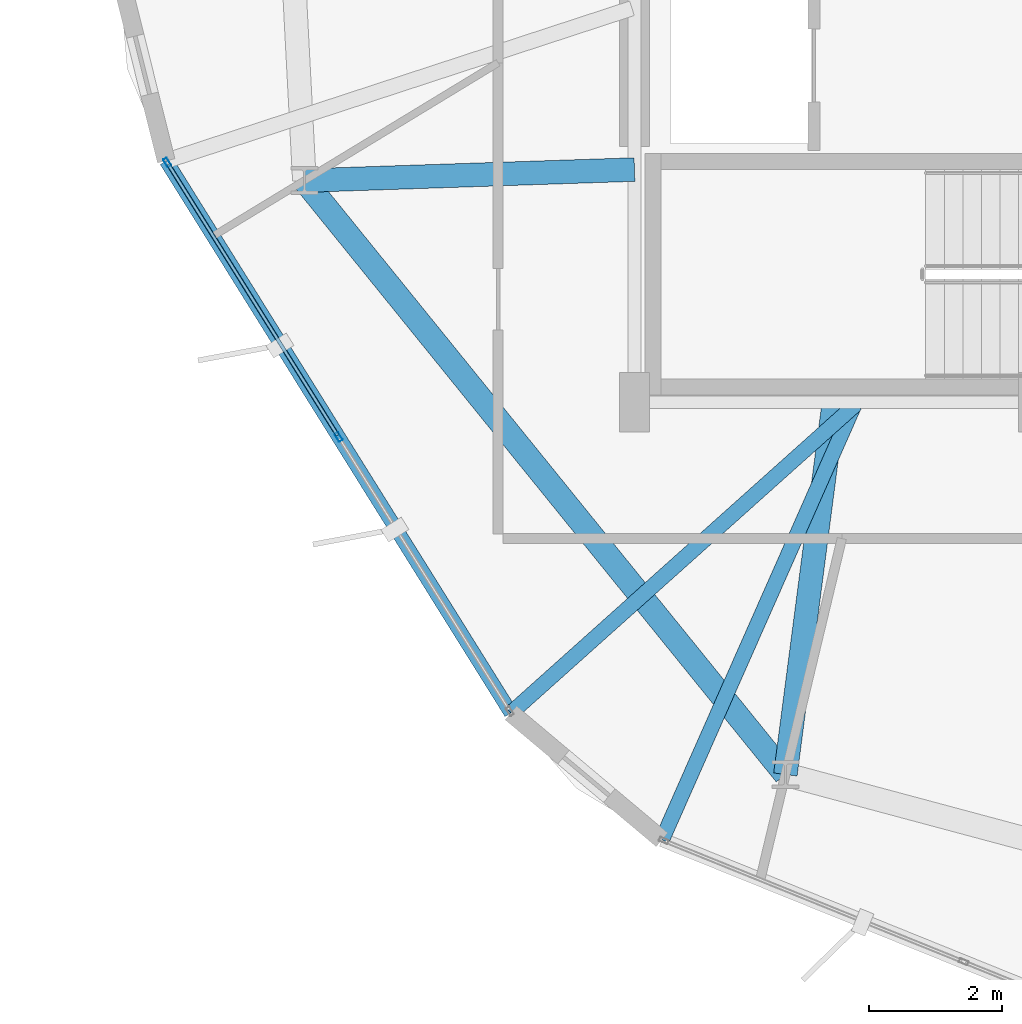
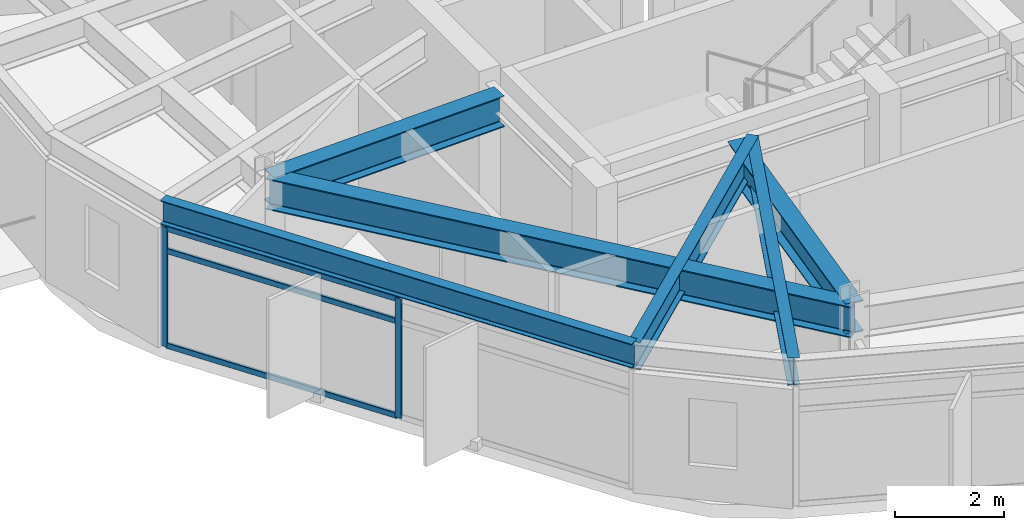
# One storey, part 3 of 23: 6 beams, 5 members, 1 element without a shape of its own.
"""IFC4 building model written with IfcOpenShell, lengths in metres."""

import ifcopenshell
import ifcopenshell.guid

model = None  # the IFC model being written
_history = None  # IfcOwnerHistory: only IFC2X3 demands one
_inside = {}  # id of a spatial element -> (the spatial element, [elements in it])
_under = {}  # id of a project, library or spatial element -> (it, [spatial elements below it])
_declared = {}  # id of a project -> (the project, [libraries it declares])
_typed = {}  # id of a type object -> (the type object, [elements of that type])
_made_of = {}  # id of a material, layer set ... -> (it, [elements and type objects made of it])


def new_model(schema):
    """Start an empty IFC model of exactly this schema.

    Asked for "IFC4X3", IfcOpenShell would pick the latest addendum, in which some entities
    have other attributes; the version numbers below select the first issue.
    IFC2X3 requires an IfcOwnerHistory on every rooted entity: one is made here for all.
    """
    global model, _history
    if schema == "IFC4X3":
        model = ifcopenshell.file(schema_version=(4, 3, 0, 0))
    else:
        model = ifcopenshell.file(schema=schema)
    _inside.clear()
    _under.clear()
    _declared.clear()
    _typed.clear()
    _made_of.clear()
    _history = None
    if model.schema == "IFC2X3":
        org = make("IfcOrganization", Name="unknown")
        user = make(
            "IfcPersonAndOrganization",
            ThePerson=make("IfcPerson", FamilyName="unknown"),
            TheOrganization=org,
        )
        app = make(
            "IfcApplication",
            ApplicationDeveloper=org,
            Version="unknown",
            ApplicationFullName="unknown",
            ApplicationIdentifier="unknown",
        )
        _history = make(
            "IfcOwnerHistory",
            OwningUser=user,
            OwningApplication=app,
            ChangeAction="ADDED",
            CreationDate=0,
        )
    return model


def make(cls, **values):
    """One entity of the class cls with the attributes given. An attribute that is None is left unset."""
    return model.create_entity(
        cls, **{name: value for name, value in values.items() if value is not None}
    )


def rooted(cls, **values):
    """An entity with a GlobalId (a new one), such as an element, a storey or a relation."""
    return make(cls, GlobalId=ifcopenshell.guid.new(), OwnerHistory=_history, **values)


def si_unit(unit_type, name, prefix=None):
    """IfcSIUnit, for example si_unit("LENGTHUNIT", "METRE", prefix="MILLI")."""
    return make("IfcSIUnit", UnitType=unit_type, Prefix=prefix, Name=name)


def assignment(units):
    """IfcUnitAssignment: the units of a project."""
    return None if units is None else make("IfcUnitAssignment", Units=units)


def point(xyz):
    """IfcCartesianPoint."""
    return None if xyz is None else make("IfcCartesianPoint", Coordinates=xyz)


def direction(xyz):
    """IfcDirection."""
    return None if xyz is None else make("IfcDirection", DirectionRatios=xyz)


def frame(location, z_axis=None, x_axis=None):
    """IfcAxis2Placement3D, a coordinate frame: its origin and axes. An axis left out is left unset."""
    return make(
        "IfcAxis2Placement3D",
        Location=point(location),
        Axis=direction(z_axis),
        RefDirection=direction(x_axis),
    )


def frame_2d(location, x_axis=None):
    """IfcAxis2Placement2D, a coordinate frame in the plane: its origin and x axis."""
    return make(
        "IfcAxis2Placement2D", Location=point(location), RefDirection=direction(x_axis)
    )


def origin():
    """The frame at (0, 0, 0) with its axes left unset."""
    return frame((0.0, 0.0, 0.0))


def origin_2d():
    """The frame at (0, 0) in the plane with its x axis left unset."""
    return frame_2d((0.0, 0.0))


def place(relative_to, where):
    """IfcLocalPlacement: puts the frame where relative to a parent placement (None: the world)."""
    return make(
        "IfcLocalPlacement", PlacementRelTo=relative_to, RelativePlacement=where
    )


def context(
    kind, dimensions, precision=None, world=None, true_north=None, identifier=None
):
    """IfcGeometricRepresentationContext, for example the 3D "Model" context."""
    return make(
        "IfcGeometricRepresentationContext",
        ContextIdentifier=identifier,
        ContextType=kind,
        CoordinateSpaceDimension=dimensions,
        Precision=precision,
        WorldCoordinateSystem=world,
        TrueNorth=true_north,
    )


def subcontext(parent, identifier, kind, view, scale=None):
    """IfcGeometricRepresentationSubContext, for example "Body" below "Model"."""
    return make(
        "IfcGeometricRepresentationSubContext",
        ContextIdentifier=identifier,
        ContextType=kind,
        ParentContext=parent,
        TargetScale=scale,
        TargetView=view,
    )


def project(units=None, contexts=None):
    """IfcProject with its units and contexts."""
    return rooted(
        "IfcProject",
        Name="project",
        RepresentationContexts=contexts,
        UnitsInContext=assignment(units),
    )


def spatial(cls, under=None, at=None, **own):
    """A site, building, storey or space (cls), placed at a placement, below another one or the project."""
    s = rooted(cls, ObjectPlacement=at, **own)
    if under is not None:
        _under.setdefault(under.id(), (under, []))[1].append(s)
    return s


def profile(cls, at=None, kind="AREA", **sizes):
    """A parametric profile (cls). Its sizes go by their IFC names, for example OverallWidth=200.0."""
    return make(cls, ProfileType=kind, Position=at, **sizes)


def hollow_rectangle(**sizes):
    """IfcRectangleHollowProfileDef."""
    return profile("IfcRectangleHollowProfileDef", **sizes)


def i_section(**sizes):
    """IfcIShapeProfileDef."""
    return profile("IfcIShapeProfileDef", **sizes)


def extrude(swept, where, along, depth):
    """IfcExtrudedAreaSolid: the profile swept, set in the frame where, extruded along a direction by depth."""
    return make(
        "IfcExtrudedAreaSolid",
        SweptArea=swept,
        Position=where,
        ExtrudedDirection=direction(along),
        Depth=depth,
    )


def shape(context_of_items, identifier, shape_type, items):
    """IfcShapeRepresentation: the items that make up one representation, for example the "Body"."""
    return make(
        "IfcShapeRepresentation",
        ContextOfItems=context_of_items,
        RepresentationIdentifier=identifier,
        RepresentationType=shape_type,
        Items=items,
    )


def material(Name=None, Category=None):
    """IfcMaterial."""
    return make("IfcMaterial", Name=Name, Category=Category)


def layer(
    of_material, thickness, ventilated=None, Name=None, Category=None, Priority=None
):
    """IfcMaterialLayer: one layer of a wall or slab, of a material (None: an air gap)."""
    return make(
        "IfcMaterialLayer",
        Material=of_material,
        LayerThickness=thickness,
        IsVentilated=ventilated,
        Name=Name,
        Category=Category,
        Priority=Priority,
    )


def layer_set(layers, Name=None):
    """IfcMaterialLayerSet."""
    return make("IfcMaterialLayerSet", MaterialLayers=layers, LayerSetName=Name)


def material_profile(
    of_material, cross_section, Name=None, Category=None, Priority=None
):
    """IfcMaterialProfile: a cross section and its material."""
    return make(
        "IfcMaterialProfile",
        Name=Name,
        Material=of_material,
        Profile=cross_section,
        Priority=Priority,
        Category=Category,
    )


def profile_set(profiles, Name=None, composite=None):
    """IfcMaterialProfileSet."""
    return make(
        "IfcMaterialProfileSet",
        Name=Name,
        MaterialProfiles=profiles,
        CompositeProfile=composite,
    )


def made_of(thing, what):
    """Note that an element or type object is made of a material, layer set ...; save() writes the relation."""
    if what is not None:
        _made_of.setdefault(what.id(), (what, []))[1].append(thing)
    return thing


def type_object(cls, material=None, **own):
    """A type object (cls), such as IfcWallType, which elements share."""
    return made_of(rooted(cls, **own), material)


def element(
    cls,
    number,
    at=None,
    inside=None,
    cuts=None,
    type_object=None,
    material=None,
    context=None,
    identifier="Body",
    shape_type=None,
    held_by="IfcProductDefinitionShape",
    body=None,
    shapes=None,
    **own,
):
    """One element of the class cls, such as IfcWall. Its Tag is "e" and its number.

    at: its placement. inside: the storey or other place that contains it. cuts: it is an
    opening in that element (IfcRelVoidsElement). A single representation is given by context,
    identifier, shape_type and body (its items); several are given by shapes. held_by: the class
    of the entity that holds the representations. save() writes the other relations.
    """
    e = rooted(cls, Tag="e%d" % number, ObjectPlacement=at, **own)
    if body is not None:
        shapes = [shape(context, identifier, shape_type, body)]
    if shapes is not None:
        e.Representation = make(held_by, Representations=shapes)
    if inside is not None:
        _inside.setdefault(inside.id(), (inside, []))[1].append(e)
    if cuts is not None:
        rooted(
            "IfcRelVoidsElement", RelatingBuildingElement=cuts, RelatedOpeningElement=e
        )
    if type_object is not None:
        _typed.setdefault(type_object.id(), (type_object, []))[1].append(e)
    return made_of(e, material)


def aggregate(whole, parts):
    """IfcRelAggregates: a whole, such as a stair, and the parts it consists of."""
    return rooted("IfcRelAggregates", RelatingObject=whole, RelatedObjects=parts)


def save(model, path):
    """Write the relations noted so far, then the file.

    IfcRelAggregates (storeys below a building ...), IfcRelContainedInSpatialStructure (elements
    in a storey), IfcRelDefinesByType, IfcRelAssociatesMaterial and IfcRelDeclares: one each for
    every whole, place, type object, material and project.
    """
    for whole, parts in _under.values():
        aggregate(whole, parts)
    for where, things in _inside.values():
        rooted(
            "IfcRelContainedInSpatialStructure",
            RelatedElements=things,
            RelatingStructure=where,
        )
    for kind, things in _typed.values():
        rooted("IfcRelDefinesByType", RelatedObjects=things, RelatingType=kind)
    for what, things in _made_of.values():
        rooted("IfcRelAssociatesMaterial", RelatedObjects=things, RelatingMaterial=what)
    for by, libraries in _declared.values():
        rooted("IfcRelDeclares", RelatingContext=by, RelatedDefinitions=libraries)
    model.write(path)


model = new_model("IFC4")

# Units and contexts
model_context = context("Model", 3, precision=1e-05, world=origin(), true_north=direction((0.0, 1.0)))
body_context = subcontext(model_context, "Body", "Model", "MODEL_VIEW")
ifc_project = project(units=[si_unit("LENGTHUNIT", "METRE"), si_unit("AREAUNIT", "SQUARE_METRE"), si_unit("VOLUMEUNIT", "CUBIC_METRE"), si_unit("PLANEANGLEUNIT", "RADIAN"), si_unit("MASSUNIT", "GRAM", prefix="KILO")], contexts=[model_context])

# Site, building, storey
site_placement = place(None, origin())
site = spatial("IfcSite", under=ifc_project, at=site_placement, CompositionType="ELEMENT")
building_placement = place(site_placement, origin())
building = spatial("IfcBuilding", under=site, at=building_placement, Name="Soratama Intermodal Tower", CompositionType="ELEMENT")
storey_placement = place(building_placement, frame((0.0, 0.0, 215.800048828125)))
storey = spatial("IfcBuildingStorey", under=building, at=storey_placement, Name="L54", CompositionType="ELEMENT", Elevation=215.800048828125)

# Beams
ifc_material_1 = material(Name="Structural steel ASTM A992 Grade 50", Category="steel")
ifc_material_profile_1 = material_profile(ifc_material_1, i_section(OverallWidth=0.35498046875, OverallDepth=0.695068359375, WebThickness=0.015380859375, FlangeThickness=0.02490234375, FilletRadius=0.01611328125, at=origin_2d()), Name="W27X146")
ifc_profile_set_1 = profile_set([ifc_material_profile_1], Name="Structural steel ASTM A992 Grade 50")
beam_type_1 = type_object("IfcBeamType", Name="BM-RING-W27X146", PredefinedType="BEAM", material=ifc_profile_set_1)
beam_1_placement = place(storey_placement, frame((27.635009765625, 18.333984375, 2.952392578125), z_axis=(0.629384551156, -0.777094001242, 0.0), x_axis=(0.777094001242, 0.629384551156, 0.0)))
element("IfcBeam", 1, at=beam_1_placement, inside=storey, type_object=beam_type_1, Name="BM-L54-RING-06", PredefinedType="BEAM", context=body_context, shape_type="SweptSolid", body=[
    extrude(i_section(OverallWidth=0.35498046875, OverallDepth=0.695068359375, WebThickness=0.015380859375, FlangeThickness=0.02490234375, FilletRadius=0.01611328125, at=origin_2d()), origin(), (0.0, 0.0, 1.0), 11.49560546875),
])
beam_2_placement = place(storey_placement, frame((32.60009765625, 18.5, 2.952392578125), z_axis=(-0.999441465401, -0.033417917907, 0.0), x_axis=(0.033417917907, -0.999441465401, 0.0)))
element("IfcBeam", 2, at=beam_2_placement, inside=storey, type_object=beam_type_1, Name="BM-L54-RAD-06", PredefinedType="BEAM", context=body_context, shape_type="SweptSolid", body=[
    extrude(i_section(OverallWidth=0.35498046875, OverallDepth=0.695068359375, WebThickness=0.015380859375, FlangeThickness=0.02490234375, FilletRadius=0.01611328125, at=origin_2d()), origin(), (0.0, 0.0, 1.0), 4.9677734375),
])
beam_3_placement = place(storey_placement, frame((35.60009765625, 15.0, 2.952392578125), z_axis=(-0.129280033694, -0.991608124658, 0.0), x_axis=(0.991608124658, -0.129280033694, 0.0)))
element("IfcBeam", 3, at=beam_3_placement, inside=storey, type_object=beam_type_1, Name="BM-L54-RAD-07", PredefinedType="BEAM", context=body_context, shape_type="SweptSolid", body=[
    extrude(i_section(OverallWidth=0.35498046875, OverallDepth=0.695068359375, WebThickness=0.015380859375, FlangeThickness=0.02490234375, FilletRadius=0.01611328125, at=origin_2d()), origin(), (0.0, 0.0, 1.0), 5.646484375),
])
ifc_material_2 = material(Name="Structural steel ASTM A992 Grade 50", Category="steel")
ifc_material_profile_2 = material_profile(ifc_material_2, i_section(OverallWidth=0.2099609375, OverallDepth=0.537109375, WebThickness=0.010986328125, FlangeThickness=0.017333984375, FilletRadius=0.012939453125, at=origin_2d()), Name="W21X68")
ifc_profile_set_2 = profile_set([ifc_material_profile_2], Name="Structural steel ASTM A992 Grade 50")
beam_type_2 = type_object("IfcBeamType", Name="BM-SPN-W21X68", PredefinedType="SPANDREL", material=ifc_profile_set_2)
beam_4_placement = place(storey_placement, frame((25.555908203125, 18.631103515625, 3.031494140625), z_axis=(0.529653738581, -0.84821395721, 0.0), x_axis=(0.84821395721, 0.529653738581, 0.0)))
element("IfcBeam", 4, at=beam_4_placement, inside=storey, type_object=beam_type_2, Name="BS-L54-F05", PredefinedType="SPANDREL", context=body_context, shape_type="SweptSolid", body=[
    extrude(i_section(OverallWidth=0.2099609375, OverallDepth=0.537109375, WebThickness=0.010986328125, FlangeThickness=0.017333984375, FilletRadius=0.012939453125, at=origin_2d()), origin(), (0.0, 0.0, 1.0), 9.791259765625),
])
ifc_material_3 = material(Name="Structural steel ASTM A992 Grade 50", Category="steel")
ifc_material_profile_3 = material_profile(ifc_material_3, i_section(OverallWidth=0.22900390625, OverallDepth=0.612060546875, WebThickness=0.011962890625, FlangeThickness=0.01953125, FilletRadius=0.012939453125, at=origin_2d()), Name="W24X84")
ifc_profile_set_3 = profile_set([ifc_material_profile_3], Name="Structural steel ASTM A992 Grade 50")
beam_type_3 = type_object("IfcBeamType", Name="BM-TIE-W24X84", PredefinedType="BEAM", material=ifc_profile_set_3)
beam_5_placement = place(storey_placement, frame((35.93505859375, 14.972900390625, 2.993896484375), z_axis=(-0.745205577901, -0.666834797131, 0.0), x_axis=(0.666834797131, -0.745205577901, 0.0)))
element("IfcBeam", 5, at=beam_5_placement, inside=storey, type_object=beam_type_3, Name="BM-L54-TIE1-05", PredefinedType="BEAM", context=body_context, shape_type="SweptSolid", body=[
    extrude(i_section(OverallWidth=0.22900390625, OverallDepth=0.612060546875, WebThickness=0.011962890625, FlangeThickness=0.01953125, FilletRadius=0.012939453125, at=origin_2d()), origin(), (0.0, 0.0, 1.0), 6.96875),
])
beam_6_placement = place(storey_placement, frame((35.908935546875, 14.962890625, 2.993896484375), z_axis=(-0.404574060177, -0.914505237728, 0.0), x_axis=(0.914505237728, -0.404574060177, 0.0)))
element("IfcBeam", 6, at=beam_6_placement, inside=storey, type_object=beam_type_3, Name="BM-L54-TIE0-06", PredefinedType="BEAM", context=body_context, shape_type="SweptSolid", body=[
    extrude(i_section(OverallWidth=0.22900390625, OverallDepth=0.612060546875, WebThickness=0.011962890625, FlangeThickness=0.01953125, FilletRadius=0.012939453125, at=origin_2d()), origin(), (0.0, 0.0, 1.0), 7.15576171875),
])

# Curtain wall, members
ifc_material_4 = material(Name="Double-glazed aluminium curtain wall", Category="aluminium")
ifc_layer = layer(ifc_material_4, 0.159912109375)
ifc_layer_set = layer_set([ifc_layer], Name="Double-glazed aluminium curtain wall")
curtain_wall_type = type_object("IfcCurtainWallType", Name="CW-SYS-5", PredefinedType="NOTDEFINED", material=ifc_layer_set)
curtain_wall_placement = place(storey_placement, origin())
curtain_wall = element("IfcCurtainWall", 7, at=curtain_wall_placement, inside=storey, type_object=curtain_wall_type, Name="L54 Faceted Curtain Wall F05", PredefinedType="NOTDEFINED")
ifc_material_5 = material(Name="Anodised aluminium AA 6063-T6", Category="aluminium")
ifc_material_profile_4 = material_profile(ifc_material_5, hollow_rectangle(XDim=0.06494140625, YDim=0.139892578125, WallThickness=0.0048828125, InnerFilletRadius=0.0048828125, OuterFilletRadius=0.010009765625, at=origin_2d()), Name="CWM140X65X5")
ifc_profile_set_4 = profile_set([ifc_material_profile_4], Name="Anodised aluminium AA 6063-T6")
member_type_1 = type_object("IfcMemberType", Name="MT-CWM-5", PredefinedType="MULLION", material=ifc_profile_set_4)
member_1_placement = place(storey_placement, frame((25.572265625, 18.60546875, 0.0), z_axis=(0.0, 0.0, 1.0), x_axis=(0.848231192913, 0.529626135466, 0.0)))
member_1 = element("IfcMember", 8, at=member_1_placement, type_object=member_type_1, Name="CW-5 mullion 1", PredefinedType="MULLION", context=body_context, shape_type="SweptSolid", body=[
    extrude(hollow_rectangle(XDim=0.06494140625, YDim=0.139892578125, WallThickness=0.0048828125, InnerFilletRadius=0.0048828125, OuterFilletRadius=0.010009765625, at=origin_2d()), origin(), (0.0, 0.0, 1.0), 2.678955078125),
])
member_2_placement = place(storey_placement, frame((28.149169921875, 14.478515625, 0.0), z_axis=(0.0, 0.0, 1.0), x_axis=(0.848231192913, 0.529626135466, 0.0)))
member_2 = element("IfcMember", 9, at=member_2_placement, type_object=member_type_1, Name="CW-5 mullion 2", PredefinedType="MULLION", context=body_context, shape_type="SweptSolid", body=[
    extrude(hollow_rectangle(XDim=0.06494140625, YDim=0.139892578125, WallThickness=0.0048828125, InnerFilletRadius=0.0048828125, OuterFilletRadius=0.010009765625, at=origin_2d()), origin(), (0.0, 0.0, 1.0), 2.678955078125),
])
ifc_material_6 = material(Name="Anodised aluminium AA 6063-T6", Category="aluminium")
ifc_material_profile_5 = material_profile(ifc_material_6, hollow_rectangle(XDim=0.06005859375, YDim=0.1298828125, WallThickness=0.0048828125, InnerFilletRadius=0.0048828125, OuterFilletRadius=0.010009765625, at=origin_2d()), Name="CWT130X60X5")
ifc_profile_set_5 = profile_set([ifc_material_profile_5], Name="Anodised aluminium AA 6063-T6")
member_type_2 = type_object("IfcMemberType", Name="TT-CWT-2", PredefinedType="USERDEFINED", material=ifc_profile_set_5)
member_3_placement = place(storey_placement, frame((25.588134765625, 18.579833984375, 0.030029296875), z_axis=(0.529619827099, -0.848235131755, 0.0), x_axis=(0.848235131755, 0.529619827099, 0.0)))
member_3 = element("IfcMember", 10, at=member_3_placement, type_object=member_type_2, Name="CW-5 transom 1.1", ObjectType="TRANSOM", PredefinedType="USERDEFINED", context=body_context, shape_type="SweptSolid", body=[
    extrude(hollow_rectangle(XDim=0.06005859375, YDim=0.1298828125, WallThickness=0.0048828125, InnerFilletRadius=0.0048828125, OuterFilletRadius=0.010009765625, at=origin_2d()), origin(), (0.0, 0.0, 1.0), 4.80517578125),
])
member_4_placement = place(storey_placement, frame((25.588134765625, 18.579833984375, 2.14990234375), z_axis=(0.529619827099, -0.848235131755, 0.0), x_axis=(0.848235131755, 0.529619827099, 0.0)))
member_4 = element("IfcMember", 11, at=member_4_placement, type_object=member_type_2, Name="CW-5 transom 1.2", ObjectType="TRANSOM", PredefinedType="USERDEFINED", context=body_context, shape_type="SweptSolid", body=[
    extrude(hollow_rectangle(XDim=0.06005859375, YDim=0.1298828125, WallThickness=0.0048828125, InnerFilletRadius=0.0048828125, OuterFilletRadius=0.010009765625, at=origin_2d()), origin(), (0.0, 0.0, 1.0), 4.80517578125),
])
member_5_placement = place(storey_placement, frame((25.588134765625, 18.579833984375, 2.64892578125), z_axis=(0.529619827099, -0.848235131755, 0.0), x_axis=(0.848235131755, 0.529619827099, 0.0)))
member_5 = element("IfcMember", 12, at=member_5_placement, type_object=member_type_2, Name="CW-5 transom 1.3", ObjectType="TRANSOM", PredefinedType="USERDEFINED", context=body_context, shape_type="SweptSolid", body=[
    extrude(hollow_rectangle(XDim=0.06005859375, YDim=0.1298828125, WallThickness=0.0048828125, InnerFilletRadius=0.0048828125, OuterFilletRadius=0.010009765625, at=origin_2d()), origin(), (0.0, 0.0, 1.0), 4.80517578125),
])
aggregate(curtain_wall, [member_1, member_2, member_3, member_4, member_5])

save(model, "model.ifc")
